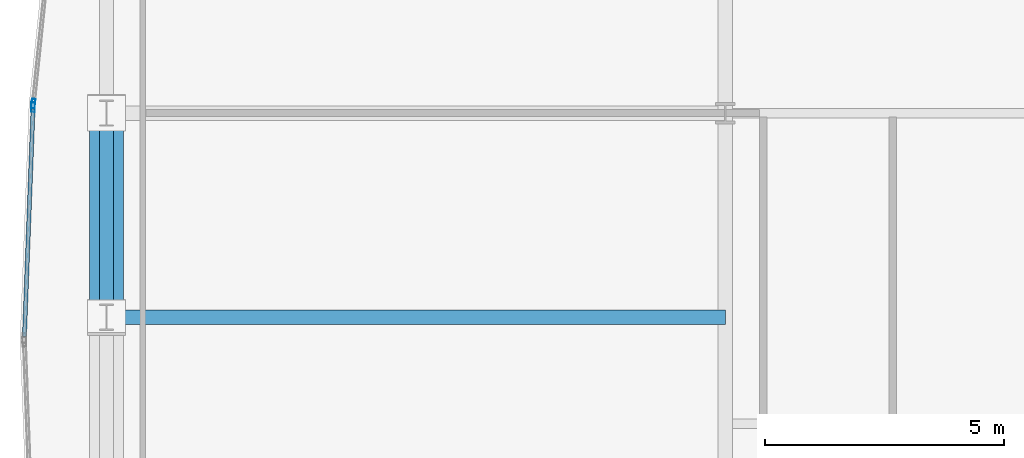
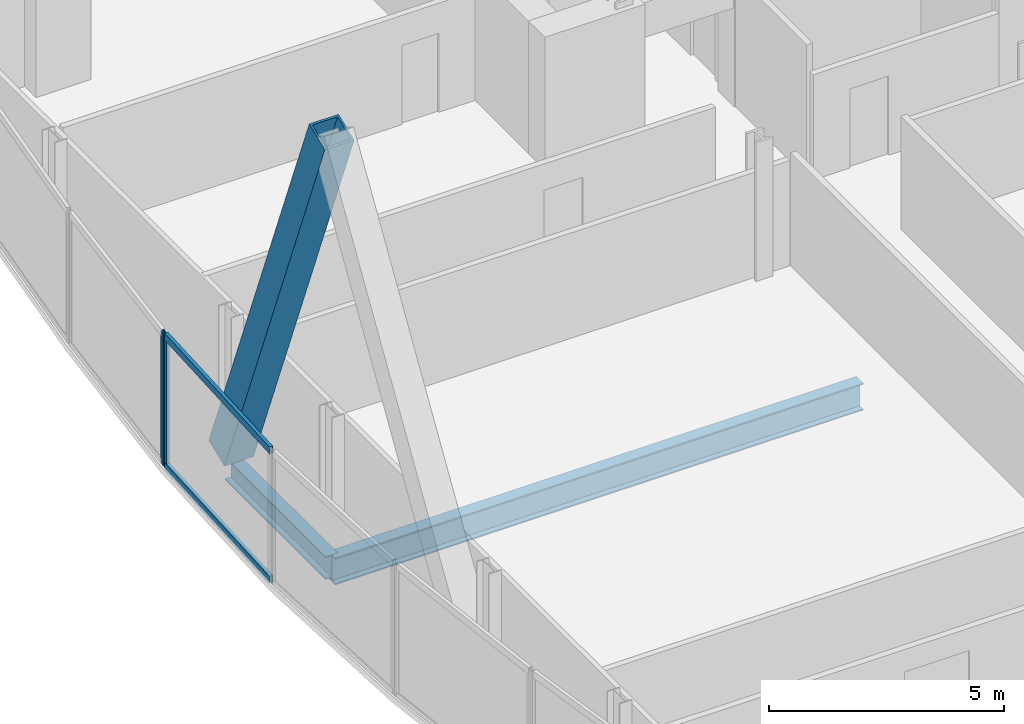
# One storey, part 11 of 30: 5 members, 2 beams, 2 elements without a shape of their own.
"""IFC4 building model written with IfcOpenShell, lengths in metres."""

import ifcopenshell
import ifcopenshell.guid

model = None  # the IFC model being written
_history = None  # IfcOwnerHistory: only IFC2X3 demands one
_inside = {}  # id of a spatial element -> (the spatial element, [elements in it])
_under = {}  # id of a project, library or spatial element -> (it, [spatial elements below it])
_declared = {}  # id of a project -> (the project, [libraries it declares])
_typed = {}  # id of a type object -> (the type object, [elements of that type])
_made_of = {}  # id of a material, layer set ... -> (it, [elements and type objects made of it])


def new_model(schema):
    """Start an empty IFC model of exactly this schema.

    Asked for "IFC4X3", IfcOpenShell would pick the latest addendum, in which some entities
    have other attributes; the version numbers below select the first issue.
    IFC2X3 requires an IfcOwnerHistory on every rooted entity: one is made here for all.
    """
    global model, _history
    if schema == "IFC4X3":
        model = ifcopenshell.file(schema_version=(4, 3, 0, 0))
    else:
        model = ifcopenshell.file(schema=schema)
    _inside.clear()
    _under.clear()
    _declared.clear()
    _typed.clear()
    _made_of.clear()
    _history = None
    if model.schema == "IFC2X3":
        org = make("IfcOrganization", Name="unknown")
        user = make(
            "IfcPersonAndOrganization",
            ThePerson=make("IfcPerson", FamilyName="unknown"),
            TheOrganization=org,
        )
        app = make(
            "IfcApplication",
            ApplicationDeveloper=org,
            Version="unknown",
            ApplicationFullName="unknown",
            ApplicationIdentifier="unknown",
        )
        _history = make(
            "IfcOwnerHistory",
            OwningUser=user,
            OwningApplication=app,
            ChangeAction="ADDED",
            CreationDate=0,
        )
    return model


def make(cls, **values):
    """One entity of the class cls with the attributes given. An attribute that is None is left unset."""
    return model.create_entity(
        cls, **{name: value for name, value in values.items() if value is not None}
    )


def rooted(cls, **values):
    """An entity with a GlobalId (a new one), such as an element, a storey or a relation."""
    return make(cls, GlobalId=ifcopenshell.guid.new(), OwnerHistory=_history, **values)


def si_unit(unit_type, name, prefix=None):
    """IfcSIUnit, for example si_unit("LENGTHUNIT", "METRE", prefix="MILLI")."""
    return make("IfcSIUnit", UnitType=unit_type, Prefix=prefix, Name=name)


def assignment(units):
    """IfcUnitAssignment: the units of a project."""
    return None if units is None else make("IfcUnitAssignment", Units=units)


def point(xyz):
    """IfcCartesianPoint."""
    return None if xyz is None else make("IfcCartesianPoint", Coordinates=xyz)


def direction(xyz):
    """IfcDirection."""
    return None if xyz is None else make("IfcDirection", DirectionRatios=xyz)


def frame(location, z_axis=None, x_axis=None):
    """IfcAxis2Placement3D, a coordinate frame: its origin and axes. An axis left out is left unset."""
    return make(
        "IfcAxis2Placement3D",
        Location=point(location),
        Axis=direction(z_axis),
        RefDirection=direction(x_axis),
    )


def frame_2d(location, x_axis=None):
    """IfcAxis2Placement2D, a coordinate frame in the plane: its origin and x axis."""
    return make(
        "IfcAxis2Placement2D", Location=point(location), RefDirection=direction(x_axis)
    )


def origin():
    """The frame at (0, 0, 0) with its axes left unset."""
    return frame((0.0, 0.0, 0.0))


def origin_2d():
    """The frame at (0, 0) in the plane with its x axis left unset."""
    return frame_2d((0.0, 0.0))


def place(relative_to, where):
    """IfcLocalPlacement: puts the frame where relative to a parent placement (None: the world)."""
    return make(
        "IfcLocalPlacement", PlacementRelTo=relative_to, RelativePlacement=where
    )


def context(
    kind, dimensions, precision=None, world=None, true_north=None, identifier=None
):
    """IfcGeometricRepresentationContext, for example the 3D "Model" context."""
    return make(
        "IfcGeometricRepresentationContext",
        ContextIdentifier=identifier,
        ContextType=kind,
        CoordinateSpaceDimension=dimensions,
        Precision=precision,
        WorldCoordinateSystem=world,
        TrueNorth=true_north,
    )


def subcontext(parent, identifier, kind, view, scale=None):
    """IfcGeometricRepresentationSubContext, for example "Body" below "Model"."""
    return make(
        "IfcGeometricRepresentationSubContext",
        ContextIdentifier=identifier,
        ContextType=kind,
        ParentContext=parent,
        TargetScale=scale,
        TargetView=view,
    )


def project(units=None, contexts=None):
    """IfcProject with its units and contexts."""
    return rooted(
        "IfcProject",
        Name="project",
        RepresentationContexts=contexts,
        UnitsInContext=assignment(units),
    )


def spatial(cls, under=None, at=None, **own):
    """A site, building, storey or space (cls), placed at a placement, below another one or the project."""
    s = rooted(cls, ObjectPlacement=at, **own)
    if under is not None:
        _under.setdefault(under.id(), (under, []))[1].append(s)
    return s


def profile(cls, at=None, kind="AREA", **sizes):
    """A parametric profile (cls). Its sizes go by their IFC names, for example OverallWidth=200.0."""
    return make(cls, ProfileType=kind, Position=at, **sizes)


def hollow_rectangle(**sizes):
    """IfcRectangleHollowProfileDef."""
    return profile("IfcRectangleHollowProfileDef", **sizes)


def i_section(**sizes):
    """IfcIShapeProfileDef."""
    return profile("IfcIShapeProfileDef", **sizes)


def extrude(swept, where, along, depth):
    """IfcExtrudedAreaSolid: the profile swept, set in the frame where, extruded along a direction by depth."""
    return make(
        "IfcExtrudedAreaSolid",
        SweptArea=swept,
        Position=where,
        ExtrudedDirection=direction(along),
        Depth=depth,
    )


def shape(context_of_items, identifier, shape_type, items):
    """IfcShapeRepresentation: the items that make up one representation, for example the "Body"."""
    return make(
        "IfcShapeRepresentation",
        ContextOfItems=context_of_items,
        RepresentationIdentifier=identifier,
        RepresentationType=shape_type,
        Items=items,
    )


def material(Name=None, Category=None):
    """IfcMaterial."""
    return make("IfcMaterial", Name=Name, Category=Category)


def material_profile(
    of_material, cross_section, Name=None, Category=None, Priority=None
):
    """IfcMaterialProfile: a cross section and its material."""
    return make(
        "IfcMaterialProfile",
        Name=Name,
        Material=of_material,
        Profile=cross_section,
        Priority=Priority,
        Category=Category,
    )


def profile_set(profiles, Name=None, composite=None):
    """IfcMaterialProfileSet."""
    return make(
        "IfcMaterialProfileSet",
        Name=Name,
        MaterialProfiles=profiles,
        CompositeProfile=composite,
    )


def made_of(thing, what):
    """Note that an element or type object is made of a material, layer set ...; save() writes the relation."""
    if what is not None:
        _made_of.setdefault(what.id(), (what, []))[1].append(thing)
    return thing


def type_object(cls, material=None, **own):
    """A type object (cls), such as IfcWallType, which elements share."""
    return made_of(rooted(cls, **own), material)


def element(
    cls,
    number,
    at=None,
    inside=None,
    cuts=None,
    type_object=None,
    material=None,
    context=None,
    identifier="Body",
    shape_type=None,
    held_by="IfcProductDefinitionShape",
    body=None,
    shapes=None,
    **own,
):
    """One element of the class cls, such as IfcWall. Its Tag is "e" and its number.

    at: its placement. inside: the storey or other place that contains it. cuts: it is an
    opening in that element (IfcRelVoidsElement). A single representation is given by context,
    identifier, shape_type and body (its items); several are given by shapes. held_by: the class
    of the entity that holds the representations. save() writes the other relations.
    """
    e = rooted(cls, Tag="e%d" % number, ObjectPlacement=at, **own)
    if body is not None:
        shapes = [shape(context, identifier, shape_type, body)]
    if shapes is not None:
        e.Representation = make(held_by, Representations=shapes)
    if inside is not None:
        _inside.setdefault(inside.id(), (inside, []))[1].append(e)
    if cuts is not None:
        rooted(
            "IfcRelVoidsElement", RelatingBuildingElement=cuts, RelatedOpeningElement=e
        )
    if type_object is not None:
        _typed.setdefault(type_object.id(), (type_object, []))[1].append(e)
    return made_of(e, material)


def aggregate(whole, parts):
    """IfcRelAggregates: a whole, such as a stair, and the parts it consists of."""
    return rooted("IfcRelAggregates", RelatingObject=whole, RelatedObjects=parts)


def save(model, path):
    """Write the relations noted so far, then the file.

    IfcRelAggregates (storeys below a building ...), IfcRelContainedInSpatialStructure (elements
    in a storey), IfcRelDefinesByType, IfcRelAssociatesMaterial and IfcRelDeclares: one each for
    every whole, place, type object, material and project.
    """
    for whole, parts in _under.values():
        aggregate(whole, parts)
    for where, things in _inside.values():
        rooted(
            "IfcRelContainedInSpatialStructure",
            RelatedElements=things,
            RelatingStructure=where,
        )
    for kind, things in _typed.values():
        rooted("IfcRelDefinesByType", RelatedObjects=things, RelatingType=kind)
    for what, things in _made_of.values():
        rooted("IfcRelAssociatesMaterial", RelatedObjects=things, RelatingMaterial=what)
    for by, libraries in _declared.values():
        rooted("IfcRelDeclares", RelatingContext=by, RelatedDefinitions=libraries)
    model.write(path)


model = new_model("IFC4")

# Units and contexts
model_context = context("Model", 3, precision=1e-05, world=origin(), true_north=direction((0.0, 1.0)))
body_context = subcontext(model_context, "Body", "Model", "MODEL_VIEW")
ifc_project = project(units=[si_unit("LENGTHUNIT", "METRE"), si_unit("AREAUNIT", "SQUARE_METRE"), si_unit("VOLUMEUNIT", "CUBIC_METRE"), si_unit("PLANEANGLEUNIT", "RADIAN"), si_unit("MASSUNIT", "GRAM", prefix="KILO")], contexts=[model_context])

# Site, building, storey
site_placement = place(None, origin())
site = spatial("IfcSite", under=ifc_project, at=site_placement, CompositionType="ELEMENT")
building_placement = place(site_placement, origin())
building = spatial("IfcBuilding", under=site, at=building_placement, Name="Khoronbel Lancet Exchange", CompositionType="ELEMENT")
storey_placement = place(building_placement, frame((0.0, 0.0, 147.0)))
storey = spatial("IfcBuildingStorey", under=building, at=storey_placement, Name="L36", CompositionType="ELEMENT", Elevation=147.0)

# Beams
ifc_material_1 = material(Name="Steel S355", Category="steel")
ifc_material_profile_1 = material_profile(ifc_material_1, i_section(OverallWidth=0.300048828125, OverallDepth=0.699951171875, WebThickness=0.01708984375, FlangeThickness=0.031982421875, at=origin_2d()), Name="HEB 700")
ifc_profile_set_1 = profile_set([ifc_material_profile_1], Name="Steel S355")
beam_type_1 = type_object("IfcBeamType", Name="BM-BG3", PredefinedType="BEAM", material=ifc_profile_set_1)
beam_1_placement = place(storey_placement, frame((5.27001953125, 31.425048828125, -0.510009765625), z_axis=(1.0, 0.0, 0.0), x_axis=(0.0, 1.0, 0.0)))
element("IfcBeam", 1, at=beam_1_placement, inside=storey, type_object=beam_type_1, Name="Level L36 west lens tie girder LG2W", PredefinedType="BEAM", context=body_context, shape_type="SweptSolid", body=[
    extrude(i_section(OverallWidth=0.300048828125, OverallDepth=0.699951171875, WebThickness=0.01708984375, FlangeThickness=0.031982421875, at=origin_2d()), origin(), (0.0, 0.0, 1.0), 12.955078125),
])
ifc_material_profile_2 = material_profile(ifc_material_1, i_section(OverallWidth=0.300048828125, OverallDepth=0.60009765625, WebThickness=0.015380859375, FlangeThickness=0.030029296875, at=origin_2d()), Name="HEB 600")
ifc_profile_set_2 = profile_set([ifc_material_profile_2], Name="Steel S355")
beam_type_2 = type_object("IfcBeamType", Name="BM-BSP2", PredefinedType="SPANDREL", material=ifc_profile_set_2)
beam_2_placement = place(storey_placement, frame((5.27001953125, 35.699951171875, -0.4599609375), z_axis=(0.0, -1.0, 0.0), x_axis=(1.0, 0.0, 0.0)))
element("IfcBeam", 2, at=beam_2_placement, inside=storey, type_object=beam_type_2, Name="Level L36 perimeter spandrel beam SP18", PredefinedType="SPANDREL", context=body_context, shape_type="SweptSolid", body=[
    extrude(i_section(OverallWidth=0.300048828125, OverallDepth=0.60009765625, WebThickness=0.015380859375, FlangeThickness=0.030029296875, at=origin_2d()), origin(), (0.0, 0.0, 1.0), 4.27490234375),
])

# Curtain wall, member
ifc_material_2 = material(Name="Low-E Solar Control Insulating Glass", Category="glass")
curtain_wall_type = type_object("IfcCurtainWallType", Name="CW-4", PredefinedType="NOTDEFINED", material=ifc_material_2)
curtain_wall_1_placement = place(storey_placement, origin())
curtain_wall_1 = element("IfcCurtainWall", 3, at=curtain_wall_1_placement, inside=storey, type_object=curtain_wall_type, Name="Unitised curtain wall CW-L36-E07", PredefinedType="NOTDEFINED")
ifc_material_3 = material(Name="Bronze-Anodised Aluminium 6063-T6", Category="aluminium")
ifc_material_profile_3 = material_profile(ifc_material_3, hollow_rectangle(XDim=0.074951171875, YDim=0.199951171875, WallThickness=0.0048828125, at=origin_2d()), Name="ALU MULLION 75x200")
ifc_profile_set_3 = profile_set([ifc_material_profile_3], Name="Bronze-Anodised Aluminium 6063-T6")
member_type_1 = type_object("IfcMemberType", Name="MEM-CWM2", PredefinedType="MULLION", material=ifc_profile_set_3)
member_1_placement = place(storey_placement, frame((3.734619140625, 35.822998046875, 0.0), z_axis=(0.0, 0.0, 1.0), x_axis=(-0.999284139325, 0.037831321592, 0.0)))
member_1 = element("IfcMember", 4, at=member_1_placement, type_object=member_type_1, Name="CW4 mullion 2", PredefinedType="MULLION", context=body_context, shape_type="SweptSolid", body=[
    extrude(hollow_rectangle(XDim=0.074951171875, YDim=0.199951171875, WallThickness=0.0048828125, at=origin_2d()), origin(), (0.0, 0.0, 1.0), 3.43994140625),
])

curtain_wall_2_placement = place(storey_placement, origin())
curtain_wall_2 = element("IfcCurtainWall", 5, at=curtain_wall_2_placement, inside=storey, type_object=curtain_wall_type, Name="Unitised curtain wall CW-L36-E08", PredefinedType="NOTDEFINED")
member_2_placement = place(storey_placement, frame((3.739990234375, 35.897705078125, 0.0), z_axis=(0.0, 0.0, 1.0), x_axis=(-0.994688434151, 0.10293162277, 0.0)))
member_2 = element("IfcMember", 6, at=member_2_placement, type_object=member_type_1, Name="CW4 mullion 1", PredefinedType="MULLION", context=body_context, shape_type="SweptSolid", body=[
    extrude(hollow_rectangle(XDim=0.074951171875, YDim=0.199951171875, WallThickness=0.0048828125, at=origin_2d()), origin(), (0.0, 0.0, 1.0), 3.43994140625),
])
aggregate(curtain_wall_2, [member_2])

# Member
ifc_material_profile_4 = material_profile(ifc_material_3, hollow_rectangle(XDim=0.0849609375, YDim=0.179931640625, WallThickness=0.0048828125, at=origin_2d()), Name="ALU TRANSOM 85x180")
ifc_profile_set_4 = profile_set([ifc_material_profile_4], Name="Bronze-Anodised Aluminium 6063-T6")
member_type_2 = type_object("IfcMemberType", Name="MEM-CWT1", PredefinedType="USERDEFINED", material=ifc_profile_set_4)
member_3_placement = place(storey_placement, frame((3.552978515625, 31.02490234375, 0.04248046875), z_axis=(0.037821015577, 0.999284529441, 0.0), x_axis=(-0.999284529441, 0.037821015577, 0.0)))
member_3 = element("IfcMember", 7, at=member_3_placement, type_object=member_type_2, Name="CW4 transom 1.1", ObjectType="TRANSOM", PredefinedType="USERDEFINED", context=body_context, shape_type="SweptSolid", body=[
    extrude(hollow_rectangle(XDim=0.0849609375, YDim=0.179931640625, WallThickness=0.0048828125, at=origin_2d()), origin(), (0.0, 0.0, 1.0), 4.763916015625),
])

member_4_placement = place(storey_placement, frame((3.552978515625, 31.02490234375, 3.3974609375), z_axis=(0.037821015577, 0.999284529441, 0.0), x_axis=(-0.999284529441, 0.037821015577, 0.0)))
member_4 = element("IfcMember", 8, at=member_4_placement, type_object=member_type_2, Name="CW4 transom 1.2", ObjectType="TRANSOM", PredefinedType="USERDEFINED", context=body_context, shape_type="SweptSolid", body=[
    extrude(hollow_rectangle(XDim=0.0849609375, YDim=0.179931640625, WallThickness=0.0048828125, at=origin_2d()), origin(), (0.0, 0.0, 1.0), 4.763916015625),
])

aggregate(curtain_wall_1, [member_1, member_3, member_4])

ifc_material_4 = material(Name="Steel S460", Category="steel")
ifc_material_profile_5 = material_profile(ifc_material_4, hollow_rectangle(XDim=0.719970703125, YDim=0.719970703125, WallThickness=0.050048828125, at=origin_2d()), Name="BOX 720x720x50")
ifc_profile_set_5 = profile_set([ifc_material_profile_5], Name="Steel S460")
member_type_3 = type_object("IfcMemberType", Name="MEM-MB2", PredefinedType="BRACE", material=ifc_profile_set_5)
member_5_placement = place(storey_placement, frame((5.27001953125, 35.699951171875, 0.0), z_axis=(0.0, -0.368039743753, 0.929810059646), x_axis=(1.0, 0.0, 0.0)))
element("IfcMember", 9, at=member_5_placement, inside=storey, type_object=member_type_3, Name="Perimeter lancet brace tier 12 W-P-R", PredefinedType="BRACE", context=body_context, shape_type="SweptSolid", body=[
    extrude(hollow_rectangle(XDim=0.719970703125, YDim=0.719970703125, WallThickness=0.050048828125, at=origin_2d()), origin(), (0.0, 0.0, 1.0), 11.615234375),
])

save(model, "model.ifc")
